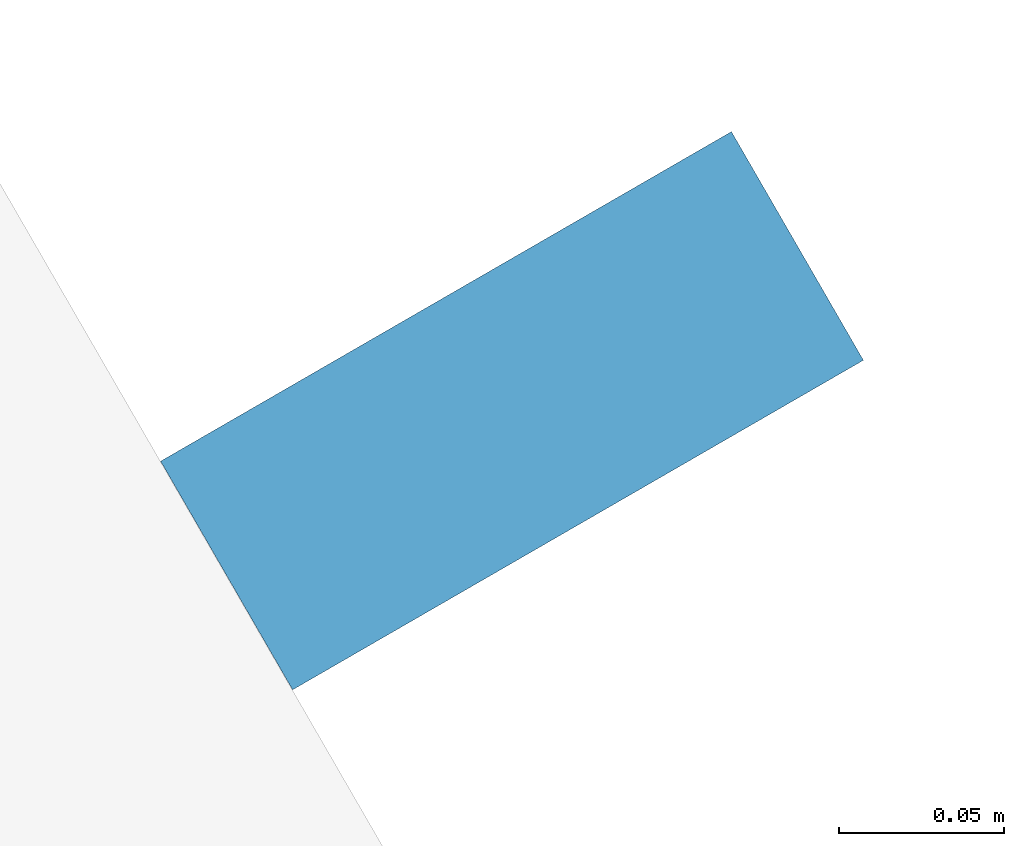
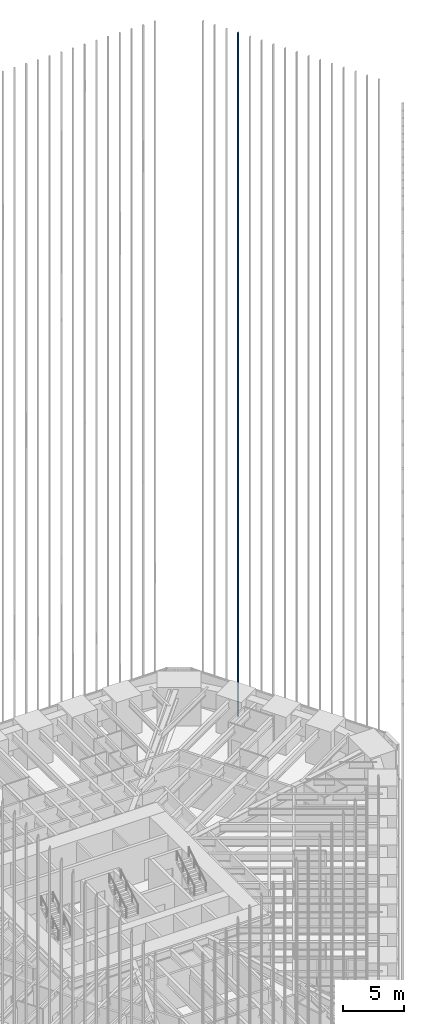
# One storey, part 240 of 256: 1 member, 1 element without a shape of its own.
"""IFC4 building model written with IfcOpenShell, lengths in metres."""

from ifc_helpers import new_model, si_unit, direction, frame, origin, origin_2d, place, context, subcontext, project, spatial, rectangle, extrude, material, material_profile, profile_set, type_object, element, aggregate, save


model = new_model("IFC4")

# Units and contexts
model_context = context("Model", 3, precision=1e-05, world=origin(), true_north=direction((0.0, 1.0)))
body_context = subcontext(model_context, "Body", "Model", "MODEL_VIEW")
ifc_project = project(units=[si_unit("LENGTHUNIT", "METRE"), si_unit("AREAUNIT", "SQUARE_METRE"), si_unit("VOLUMEUNIT", "CUBIC_METRE"), si_unit("PLANEANGLEUNIT", "RADIAN"), si_unit("MASSUNIT", "GRAM", prefix="KILO")], contexts=[model_context])

# Site, building, storey
site_placement = place(None, origin())
site = spatial("IfcSite", under=ifc_project, at=site_placement, CompositionType="ELEMENT")
building_placement = place(site_placement, origin())
building = spatial("IfcBuilding", under=site, at=building_placement, Name="Sandreach Pilgrim Tower", CompositionType="ELEMENT")
storey_placement = place(building_placement, frame((0.0, 0.0, 23.0)))
storey = spatial("IfcBuildingStorey", under=building, at=storey_placement, Name="L04", CompositionType="ELEMENT", Elevation=23.0)

# Curtain wall, member
ifc_material_1 = material(Name="Aluminium framed curtain wall", Category="aluminium")
curtain_wall_type = type_object("IfcCurtainWallType", Name="Hostel tower curtain wall", PredefinedType="NOTDEFINED", material=ifc_material_1)
curtain_wall_placement = place(storey_placement, origin())
curtain_wall = element("IfcCurtainWall", 1, at=curtain_wall_placement, inside=storey, type_object=curtain_wall_type, Name="CW-1 L04 NE", PredefinedType="NOTDEFINED")
ifc_material_2 = material(Name="Extruded terracotta on aluminium core", Category="masonry")
ifc_material_profile = material_profile(ifc_material_2, rectangle(XDim=0.080078125, YDim=0.199951171875, at=origin_2d()), Name="TBE 80X200")
ifc_profile_set = profile_set([ifc_material_profile], Name="Extruded terracotta on aluminium core")
member_type = type_object("IfcMemberType", Name="Terracotta baguette east", PredefinedType="USERDEFINED", material=ifc_profile_set)
member_placement = place(storey_placement, frame((23.84765625, 19.5166015625, 0.0), z_axis=(0.0, 0.0, 1.0), x_axis=(0.5, -0.866025403784, 0.0)))
member = element("IfcMember", 2, at=member_placement, type_object=member_type, Name="Baguette Z1 NE04", ObjectType="BAGUETTE", PredefinedType="USERDEFINED", context=body_context, shape_type="SweptSolid", body=[
    extrude(rectangle(XDim=0.080078125, YDim=0.199951171875, at=origin_2d()), origin(), (0.0, 0.0, 1.0), 68.239990234375),
])
aggregate(curtain_wall, [member])

save(model, "model.ifc")
